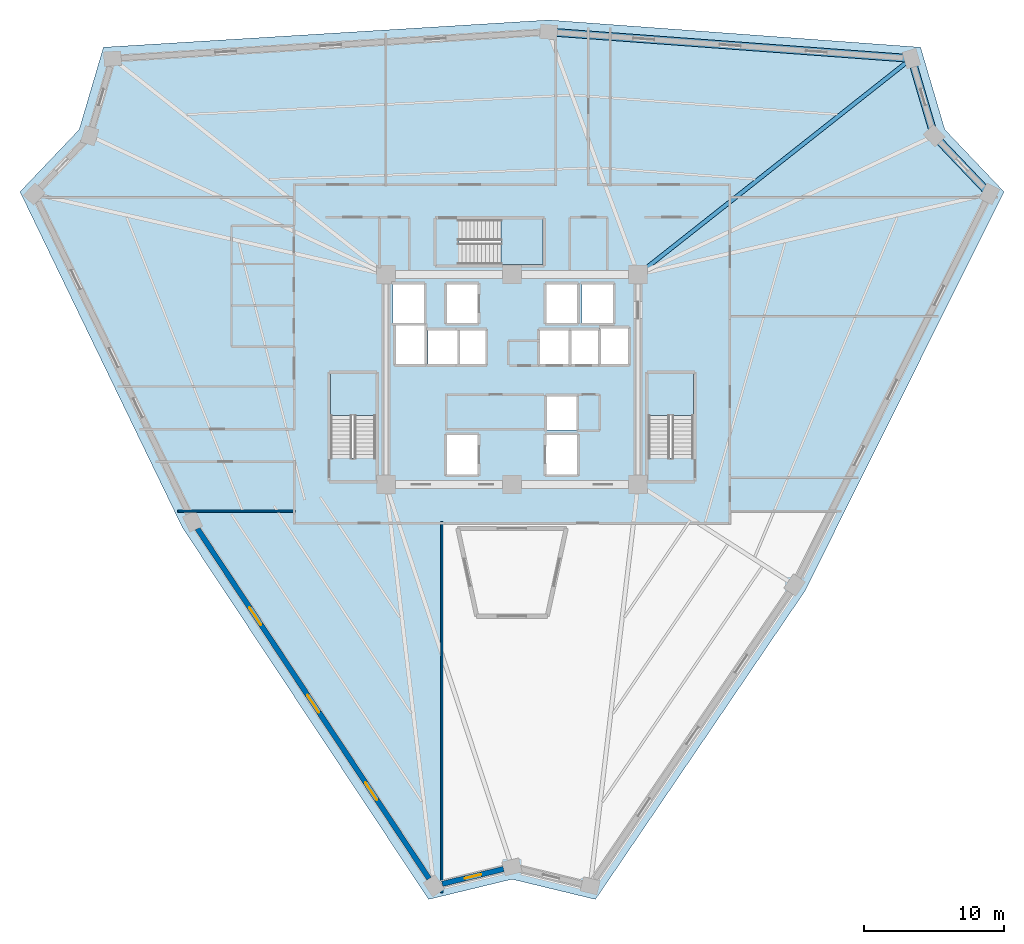
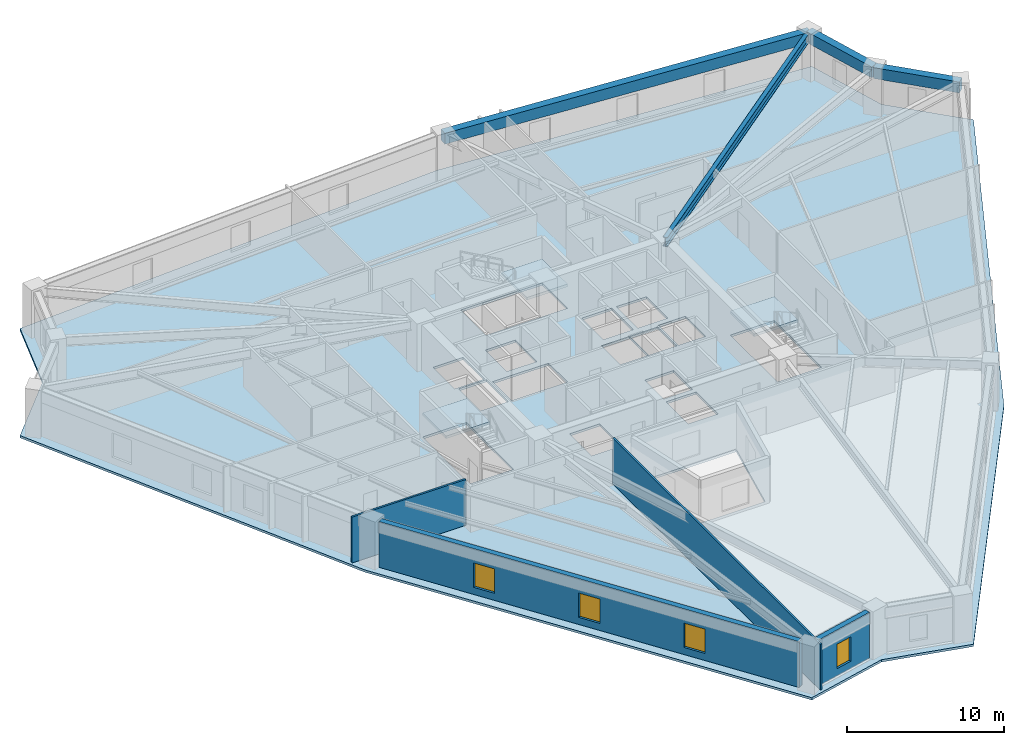
# One storey, part 2 of 10: 4 beams, 4 slabs, 4 walls, 4 windows, 4 openings, 3 elements without a shape of their own.
"""IFC4 building model written with IfcOpenShell, lengths in metres."""

from ifc_helpers import new_model, si_unit, direction, frame, frame_2d, origin, origin_2d, place, context, subcontext, project, spatial, polyline, rectangle, i_section, outline, extrude, source, transform, mapped, material, layer, layer_set, material_profile, profile_set, type_object, element, fill, aggregate, save


model = new_model("IFC4")

# Units and contexts
model_context = context("Model", 3, precision=1e-05, world=origin(), true_north=direction((0.0, 1.0)))
body_context = subcontext(model_context, "Body", "Model", "MODEL_VIEW")
ifc_project = project(units=[si_unit("LENGTHUNIT", "METRE"), si_unit("AREAUNIT", "SQUARE_METRE"), si_unit("VOLUMEUNIT", "CUBIC_METRE"), si_unit("PLANEANGLEUNIT", "RADIAN"), si_unit("MASSUNIT", "GRAM", prefix="KILO")], contexts=[model_context])

# Site, building, storey
site_placement = place(None, origin())
site = spatial("IfcSite", under=ifc_project, at=site_placement, CompositionType="ELEMENT")
building_placement = place(site_placement, origin())
building = spatial("IfcBuilding", under=site, at=building_placement, Name="Liaohun Quay Tower", CompositionType="ELEMENT")
storey_placement = place(building_placement, frame((0.0, 0.0, 194.25)))
storey = spatial("IfcBuildingStorey", under=building, at=storey_placement, Name="L50", CompositionType="ELEMENT", Elevation=194.25)

# Beams
ifc_material_1 = material(Name="Precast concrete C50", Category="concrete")
ifc_material_profile_1 = material_profile(ifc_material_1, rectangle(XDim=0.550048828125, YDim=0.85009765625, at=origin_2d()), Name="RC550x850")
ifc_profile_set_1 = profile_set([ifc_material_profile_1], Name="Precast concrete C50")
beam_type_1 = type_object("IfcBeamType", Name="BM-SPD-Z3", PredefinedType="SPANDREL", material=ifc_profile_set_1)
shared_shape_1 = source(origin(), body_context, "Body", "SweptSolid", [
    extrude(rectangle(XDim=0.550048828125, YDim=0.85009765625, at=origin_2d()), origin(), (0.0, 0.0, 1.0), 5.737060546875),
])
beam_1_placement = place(storey_placement, frame((90.14306640625, 71.403076171875, 3.14501953125), z_axis=(0.689356516879, -0.724422247474, 0.0), x_axis=(0.724422247474, 0.689356516879, 0.0)))
element("IfcBeam", 1, at=beam_1_placement, inside=storey, type_object=beam_type_1, Name="L50 Precast Spandrel Beam PC08-PC09", PredefinedType="SPANDREL", context=body_context, shape_type="MappedRepresentation", body=[
    mapped(shared_shape_1, transform((0.0, 0.0, 0.0), x_axis=(1.0, 0.0, 0.0), y_axis=(0.0, 1.0, 0.0), z_axis=(0.0, 0.0, 1.0), scale=1.0)),
])
shared_shape_2 = source(origin(), body_context, "Body", "SweptSolid", [
    extrude(rectangle(XDim=0.550048828125, YDim=0.85009765625, at=origin_2d()), origin(), (0.0, 0.0, 1.0), 25.968505859375),
])
beam_2_placement = place(storey_placement, frame((62.6201171875, 78.81201171875, 3.14501953125), z_axis=(0.997322831319, -0.073124347033, 0.0), x_axis=(0.073124347033, 0.997322831319, 0.0)))
element("IfcBeam", 2, at=beam_2_placement, inside=storey, type_object=beam_type_1, Name="L50 Precast Spandrel Beam PC06-PC07", PredefinedType="SPANDREL", context=body_context, shape_type="MappedRepresentation", body=[
    mapped(shared_shape_2, transform((0.0, 0.0, 0.0), x_axis=(1.0, 0.0, 0.0), y_axis=(0.0, 1.0, 0.0), z_axis=(0.0, 0.0, 1.0), scale=1.0)),
])
shared_shape_3 = source(origin(), body_context, "Body", "SweptSolid", [
    extrude(rectangle(XDim=0.550048828125, YDim=0.85009765625, at=origin_2d()), origin(), (0.0, 0.0, 1.0), 5.744384765625),
])
beam_3_placement = place(storey_placement, frame((88.51904296875, 76.9130859375, 3.14501953125), z_axis=(0.282716218071, -0.959203596761, 0.0), x_axis=(0.959203596761, 0.282716218071, 0.0)))
element("IfcBeam", 3, at=beam_3_placement, inside=storey, type_object=beam_type_1, Name="L50 Precast Spandrel Beam PC07-PC08", PredefinedType="SPANDREL", context=body_context, shape_type="MappedRepresentation", body=[
    mapped(shared_shape_3, transform((0.0, 0.0, 0.0), x_axis=(1.0, 0.0, 0.0), y_axis=(0.0, 1.0, 0.0), z_axis=(0.0, 0.0, 1.0), scale=1.0)),
])
ifc_material_2 = material(Name="Steel Q355D", Category="steel")
ifc_material_profile_2 = material_profile(ifc_material_2, i_section(OverallWidth=0.300048828125, OverallDepth=0.699951171875, WebThickness=0.012939453125, FlangeThickness=0.02392578125, at=origin_2d()), Name="HN700x300x13x24")
ifc_profile_set_2 = profile_set([ifc_material_profile_2], Name="Steel Q355D")
beam_type_2 = type_object("IfcBeamType", Name="BM-RAD-U1", PredefinedType="BEAM", material=ifc_profile_set_2)
shared_shape_4 = source(origin(), body_context, "Body", "SweptSolid", [
    extrude(i_section(OverallWidth=0.300048828125, OverallDepth=0.699951171875, WebThickness=0.012939453125, FlangeThickness=0.02392578125, at=origin_2d()), origin(), (0.0, 0.0, 1.0), 24.870849609375),
])
beam_4_placement = place(storey_placement, frame((69.0, 61.5, 3.219970703125), z_axis=(0.784817933062, 0.619726400877, 0.0), x_axis=(-0.619726400877, 0.784817933062, 0.0)))
element("IfcBeam", 4, at=beam_4_placement, inside=storey, type_object=beam_type_2, Name="L50 Radial Primary Girder CC4-PC07", PredefinedType="BEAM", context=body_context, shape_type="MappedRepresentation", body=[
    mapped(shared_shape_4, transform((0.0, 0.0, 0.0), x_axis=(1.0, 0.0, 0.0), y_axis=(0.0, 1.0, 0.0), z_axis=(0.0, 0.0, 1.0), scale=1.0)),
])

# Stair, slab
ifc_material_3 = material(Name="Concrete C45", Category="concrete")
stair_type = type_object("IfcStairType", Name="STR-CORE-OFF", PredefinedType="HALF_TURN_STAIR", material=ifc_material_3)
stair_1_placement = place(storey_placement, origin())
stair_1 = element("IfcStair", 5, at=stair_1_placement, inside=storey, type_object=stair_type, Name="L50 Smokeproof Core Exit Stair ST-1", PredefinedType="HALF_TURN_STAIR")
ifc_layer_1 = layer(ifc_material_3, 0.199951171875, Name="Concrete C45", Category="concrete")
ifc_layer_set_1 = layer_set([ifc_layer_1], Name="Concrete C45")
slab_type_1 = type_object("IfcSlabType", Name="SLB-LND-200", PredefinedType="LANDING", material=ifc_layer_set_1)
slab_1_placement = place(storey_placement, frame((0.0, 0.0, 1.675048828125)))
slab_1 = element("IfcSlab", 6, at=slab_1_placement, type_object=slab_type_1, Name="ST-1 landing 1", PredefinedType="LANDING", context=body_context, shape_type="SweptSolid", body=[
    extrude(outline(polyline([(50.280029296875, 51.429931640625), (50.280029296875, 54.419921875), (47.0400390625, 54.419921875), (47.0400390625, 51.429931640625), (50.280029296875, 51.429931640625)])), origin(), (0.0, 0.0, 1.0), 0.199951171875),
])
aggregate(stair_1, [slab_1])

stair_2_placement = place(storey_placement, origin())
stair_2 = element("IfcStair", 7, at=stair_2_placement, inside=storey, type_object=stair_type, Name="L50 Smokeproof Core Exit Stair ST-2", PredefinedType="HALF_TURN_STAIR")
slab_2_placement = place(storey_placement, frame((0.0, 0.0, 1.675048828125)))
slab_2 = element("IfcSlab", 8, at=slab_2_placement, type_object=slab_type_1, Name="ST-2 landing 1", PredefinedType="LANDING", context=body_context, shape_type="SweptSolid", body=[
    extrude(outline(polyline([(72.9599609375, 51.429931640625), (72.9599609375, 54.419921875), (69.719970703125, 54.419921875), (69.719970703125, 51.429931640625), (72.9599609375, 51.429931640625)])), origin(), (0.0, 0.0, 1.0), 0.199951171875),
])
aggregate(stair_2, [slab_2])

stair_3_placement = place(storey_placement, origin())
stair_3 = element("IfcStair", 9, at=stair_3_placement, inside=storey, type_object=stair_type, Name="L50 Smokeproof Core Exit Stair ST-3", PredefinedType="HALF_TURN_STAIR")
slab_3_placement = place(storey_placement, frame((0.0, 0.0, 1.675048828125)))
slab_3 = element("IfcSlab", 10, at=slab_3_placement, type_object=slab_type_1, Name="ST-3 landing 1", PredefinedType="LANDING", context=body_context, shape_type="SweptSolid", body=[
    extrude(outline(polyline([(59.22998046875, 62.199951171875), (62.219970703125, 62.199951171875), (62.219970703125, 65.43994140625), (59.22998046875, 65.43994140625), (59.22998046875, 62.199951171875)])), origin(), (0.0, 0.0, 1.0), 0.199951171875),
])
aggregate(stair_3, [slab_3])

# Slab
ifc_layer_2 = layer(ifc_material_3, 0.179931640625, Name="Concrete C45", Category="concrete")
ifc_layer_set_2 = layer_set([ifc_layer_2], Name="Concrete C45")
slab_type_2 = type_object("IfcSlabType", Name="SLB-OFF-180", PredefinedType="FLOOR", material=ifc_layer_set_2)
slab_4_placement = place(storey_placement, frame((0.0, 0.0, -0.179931640625)))
element("IfcSlab", 11, at=slab_4_placement, inside=storey, type_object=slab_type_2, Name="L50 Structural Floor Slab", PredefinedType="FLOOR", context=body_context, shape_type="SweptSolid", body=[
    extrude(outline(polyline([(54.04296875, 16.881103515625), (60.0, 18.320068359375), (65.95703125, 16.881103515625), (80.9130859375, 38.89501953125), (95.125, 67.40087890625), (90.89990234375, 71.840087890625), (89.16796875, 77.718017578125), (62.625, 79.6640625), (30.83203125, 77.718017578125), (29.10009765625, 71.840087890625), (24.875, 67.40087890625), (36.4619140625, 43.44189453125), (54.04296875, 16.881103515625)]), holes=[polyline([(62.3798828125, 37.27001953125), (63.662109375, 43.199951171875), (56.337890625, 43.199951171875), (57.6201171875, 37.27001953125), (62.3798828125, 37.27001953125)]), polyline([(57.56005859375, 47.2099609375), (57.56005859375, 50.030029296875), (55.340087890625, 50.030029296875), (55.340087890625, 47.2099609375), (57.56005859375, 47.2099609375)]), polyline([(50.280029296875, 54.419921875), (47.0400390625, 54.419921875), (47.0400390625, 48.409912109375), (50.280029296875, 48.409912109375), (50.280029296875, 54.419921875)]), polyline([(53.989990234375, 55.090087890625), (58.110107421875, 55.090087890625), (58.110107421875, 57.510009765625), (53.989990234375, 57.510009765625), (53.989990234375, 55.090087890625)]), polyline([(53.760009765625, 55.090087890625), (53.760009765625, 57.909912109375), (51.7099609375, 57.909912109375), (51.7099609375, 55.090087890625), (53.760009765625, 55.090087890625)]), polyline([(53.7099609375, 58.0400390625), (53.7099609375, 60.7900390625), (51.489990234375, 60.7900390625), (51.489990234375, 58.0400390625), (53.7099609375, 58.0400390625)]), polyline([(57.56005859375, 58.0400390625), (57.56005859375, 60.7900390625), (55.340087890625, 60.7900390625), (55.340087890625, 58.0400390625), (57.56005859375, 58.0400390625)]), polyline([(62.219970703125, 62.199951171875), (62.219970703125, 65.43994140625), (56.2099609375, 65.43994140625), (56.2099609375, 62.199951171875), (62.219970703125, 62.199951171875)]), polyline([(64.659912109375, 47.2099609375), (64.659912109375, 50.030029296875), (62.43994140625, 50.030029296875), (62.43994140625, 47.2099609375), (64.659912109375, 47.2099609375)]), polyline([(72.9599609375, 54.419921875), (69.719970703125, 54.419921875), (69.719970703125, 48.409912109375), (72.9599609375, 48.409912109375), (72.9599609375, 54.419921875)]), polyline([(64.610107421875, 50.389892578125), (64.610107421875, 52.81005859375), (62.489990234375, 52.81005859375), (62.489990234375, 50.389892578125), (64.610107421875, 50.389892578125)]), polyline([(64.06005859375, 55.090087890625), (64.06005859375, 57.510009765625), (61.989990234375, 57.510009765625), (61.989990234375, 55.090087890625), (64.06005859375, 55.090087890625)]), polyline([(66.159912109375, 55.090087890625), (66.159912109375, 57.510009765625), (64.090087890625, 57.510009765625), (64.090087890625, 55.090087890625), (66.159912109375, 55.090087890625)]), polyline([(68.2900390625, 55.090087890625), (68.2900390625, 57.659912109375), (66.2900390625, 57.659912109375), (66.2900390625, 55.090087890625), (68.2900390625, 55.090087890625)]), polyline([(62.43994140625, 58.0400390625), (64.659912109375, 58.0400390625), (64.659912109375, 60.7900390625), (62.43994140625, 60.7900390625), (62.43994140625, 58.0400390625)]), polyline([(64.989990234375, 58.0400390625), (67.2099609375, 58.0400390625), (67.2099609375, 60.7900390625), (64.989990234375, 60.7900390625), (64.989990234375, 58.0400390625)])]), origin(), (0.0, 0.0, 1.0), 0.179931640625),
])

# Wall, openings, windows
ifc_material_4 = material(Name="Precast concrete C50 insulated sandwich", Category="concrete")
ifc_layer_3 = layer(ifc_material_4, 0.3798828125, Name="Precast concrete C50 insulated sandwich", Category="concrete")
ifc_layer_set_3 = layer_set([ifc_layer_3], Name="Precast concrete C50 insulated sandwich")
wall_type_1 = type_object("IfcWallType", Name="WAL-EXT-Z34", PredefinedType="SOLIDWALL", material=ifc_layer_set_3)
wall_1_placement = place(storey_placement, frame((37.541015625, 43.35107421875, 0.0), z_axis=(0.0, 0.0, 1.0), x_axis=(0.551978948994, -0.833858045394, 0.0)))
wall_1 = element("IfcWall", 12, at=wall_1_placement, inside=storey, type_object=wall_type_1, Name="L50 Brutalist Precast Pier Wall 11", PredefinedType="SOLIDWALL", context=body_context, shape_type="SweptSolid", body=[
    extrude(rectangle(XDim=29.97021484375, YDim=0.3798828125, at=frame_2d((14.985107421875, 0.0))), origin(), (0.0, 0.0, 1.0), 3.570068359375),
])
shared_shape_5 = source(origin(), body_context, "Body", "SweptSolid", [
    extrude(rectangle(XDim=1.5, YDim=1.89990234375, at=frame_2d((0.75, 0.949951171875))), frame((0.0, 0.199951171875, 0.0), z_axis=(0.0, -1.0, 0.0), x_axis=(1.0, 0.0, 0.0)), (0.0, 0.0, 1.0), 0.39990234375),
])
opening_1_placement = place(wall_1_placement, frame((6.742919921875, 0.0, 0.550048828125)))
opening_1 = element("IfcOpeningElement", 13, at=opening_1_placement, cuts=wall_1, Name="Opening W03", PredefinedType="OPENING", context=body_context, shape_type="MappedRepresentation", body=[
    mapped(shared_shape_5, transform((0.0, 0.0, 0.0), x_axis=(1.0, 0.0, 0.0), y_axis=(0.0, 1.0, 0.0), z_axis=(0.0, 0.0, 1.0), scale=1.0)),
])
opening_2_placement = place(wall_1_placement, frame((14.235107421875, 0.0, 0.550048828125)))
opening_2 = element("IfcOpeningElement", 14, at=opening_2_placement, cuts=wall_1, Name="Opening W03", PredefinedType="OPENING", context=body_context, shape_type="MappedRepresentation", body=[
    mapped(shared_shape_5, transform((0.0, 0.0, 0.0), x_axis=(1.0, 0.0, 0.0), y_axis=(0.0, 1.0, 0.0), z_axis=(0.0, 0.0, 1.0), scale=1.0)),
])
opening_3_placement = place(wall_1_placement, frame((21.72802734375, 0.0, 0.550048828125)))
opening_3 = element("IfcOpeningElement", 15, at=opening_3_placement, cuts=wall_1, Name="Opening W03", PredefinedType="OPENING", context=body_context, shape_type="MappedRepresentation", body=[
    mapped(shared_shape_5, transform((0.0, 0.0, 0.0), x_axis=(1.0, 0.0, 0.0), y_axis=(0.0, 1.0, 0.0), z_axis=(0.0, 0.0, 1.0), scale=1.0)),
])
ifc_material_5 = material(Name="Triple Low-E argon glazing in thermally broken aluminium", Category="aluminium")
window_type_1 = type_object("IfcWindowType", Name="WIN-PUN-Z3", PartitioningType="DOUBLE_PANEL_VERTICAL", PredefinedType="WINDOW", material=ifc_material_5)
shared_shape_6 = source(origin(), body_context, "Body", "SweptSolid", [
    extrude(rectangle(XDim=1.5, YDim=1.89990234375, at=frame_2d((0.75, 0.949951171875))), frame((0.0, 0.030029296875, 0.0), z_axis=(0.0, -1.0, 0.0), x_axis=(1.0, 0.0, 0.0)), (0.0, 0.0, 1.0), 0.06005859375),
])
window_1_placement = place(opening_1_placement, origin())
window_1 = element("IfcWindow", 16, at=window_1_placement, inside=storey, type_object=window_type_1, Name="L50 Recessed Cold-Climate Punched Window 11-1", OverallHeight=1.89990234375, OverallWidth=1.5, PartitioningType="DOUBLE_PANEL_VERTICAL", PredefinedType="WINDOW", context=body_context, shape_type="MappedRepresentation", body=[
    mapped(shared_shape_6, transform((0.0, 0.0, 0.0), x_axis=(1.0, 0.0, 0.0), y_axis=(0.0, 1.0, 0.0), z_axis=(0.0, 0.0, 1.0), scale=1.0)),
])
fill(opening_1, window_1)
window_2_placement = place(opening_2_placement, origin())
window_2 = element("IfcWindow", 17, at=window_2_placement, inside=storey, type_object=window_type_1, Name="L50 Recessed Cold-Climate Punched Window 11-2", OverallHeight=1.89990234375, OverallWidth=1.5, PartitioningType="DOUBLE_PANEL_VERTICAL", PredefinedType="WINDOW", context=body_context, shape_type="MappedRepresentation", body=[
    mapped(shared_shape_6, transform((0.0, 0.0, 0.0), x_axis=(1.0, 0.0, 0.0), y_axis=(0.0, 1.0, 0.0), z_axis=(0.0, 0.0, 1.0), scale=1.0)),
])
fill(opening_2, window_2)
window_3_placement = place(opening_3_placement, origin())
window_3 = element("IfcWindow", 18, at=window_3_placement, inside=storey, type_object=window_type_1, Name="L50 Recessed Cold-Climate Punched Window 11-3", OverallHeight=1.89990234375, OverallWidth=1.5, PartitioningType="DOUBLE_PANEL_VERTICAL", PredefinedType="WINDOW", context=body_context, shape_type="MappedRepresentation", body=[
    mapped(shared_shape_6, transform((0.0, 0.0, 0.0), x_axis=(1.0, 0.0, 0.0), y_axis=(0.0, 1.0, 0.0), z_axis=(0.0, 0.0, 1.0), scale=1.0)),
])
fill(opening_3, window_3)

# Wall, opening, window
wall_2_placement = place(storey_placement, frame((55.02099609375, 17.990966796875, 0.0), z_axis=(0.0, 0.0, 1.0), x_axis=(0.972002486445, 0.234970564848, 0.0)))
wall_2 = element("IfcWall", 19, at=wall_2_placement, inside=storey, type_object=wall_type_1, Name="L50 Brutalist Precast Pier Wall 12", PredefinedType="SOLIDWALL", context=body_context, shape_type="SweptSolid", body=[
    extrude(rectangle(XDim=4.50732421875, YDim=0.3798828125, at=frame_2d((2.253662109375, 0.0))), origin(), (0.0, 0.0, 1.0), 3.570068359375),
])
shared_shape_7 = source(origin(), body_context, "Body", "SweptSolid", [
    extrude(rectangle(XDim=1.199951171875, YDim=1.89990234375, at=frame_2d((0.60009765625, 0.949951171875))), frame((0.0, 0.199951171875, 0.0), z_axis=(0.0, -1.0, 0.0), x_axis=(1.0, 0.0, 0.0)), (0.0, 0.0, 1.0), 0.39990234375),
])
opening_4_placement = place(wall_2_placement, frame((1.654052734375, 0.0, 0.550048828125)))
opening_4 = element("IfcOpeningElement", 20, at=opening_4_placement, cuts=wall_2, Name="Opening W05", PredefinedType="OPENING", context=body_context, shape_type="MappedRepresentation", body=[
    mapped(shared_shape_7, transform((0.0, 0.0, 0.0), x_axis=(1.0, 0.0, 0.0), y_axis=(0.0, 1.0, 0.0), z_axis=(0.0, 0.0, 1.0), scale=1.0)),
])
ifc_material_6 = material(Name="Triple Low-E corner notch glazing", Category="glass")
window_type_2 = type_object("IfcWindowType", Name="WIN-NOTCH", PartitioningType="SINGLE_PANEL", PredefinedType="WINDOW", material=ifc_material_6)
shared_shape_8 = source(origin(), body_context, "Body", "SweptSolid", [
    extrude(rectangle(XDim=1.199951171875, YDim=1.89990234375, at=frame_2d((0.60009765625, 0.949951171875))), frame((0.0, 0.030029296875, 0.0), z_axis=(0.0, -1.0, 0.0), x_axis=(1.0, 0.0, 0.0)), (0.0, 0.0, 1.0), 0.06005859375),
])
window_4_placement = place(opening_4_placement, origin())
window_4 = element("IfcWindow", 21, at=window_4_placement, inside=storey, type_object=window_type_2, Name="L50 Corner Notch Window W05-12", OverallHeight=1.89990234375, OverallWidth=1.199951171875, PartitioningType="SINGLE_PANEL", PredefinedType="WINDOW", context=body_context, shape_type="MappedRepresentation", body=[
    mapped(shared_shape_8, transform((0.0, 0.0, 0.0), x_axis=(1.0, 0.0, 0.0), y_axis=(0.0, 1.0, 0.0), z_axis=(0.0, 0.0, 1.0), scale=1.0)),
])
fill(opening_4, window_4)

# Walls
ifc_material_7 = material(Name="Gypsum board on twin steel studs", Category="steel")
ifc_layer_4 = layer(ifc_material_7, 0.139892578125, Name="Gypsum board on twin steel studs", Category="steel")
ifc_layer_set_4 = layer_set([ifc_layer_4], Name="Gypsum board on twin steel studs")
wall_type_2 = type_object("IfcWallType", Name="WAL-PRT-OFF", PredefinedType="PARTITIONING", material=ifc_layer_set_4)
wall_3_placement = place(storey_placement, frame((44.5400390625, 44.60009765625, 0.0), z_axis=(0.0, 0.0, 1.0), x_axis=(-1.0, 0.0, 0.0)))
element("IfcWall", 22, at=wall_3_placement, inside=storey, type_object=wall_type_2, Name="L50 Interior Partition Wall 045", PredefinedType="PARTITIONING", context=body_context, shape_type="SweptSolid", body=[
    extrude(rectangle(XDim=8.39404296875, YDim=0.139892578125, at=frame_2d((4.197021484375, 0.0))), origin(), (0.0, 0.0, 1.0), 3.570068359375),
])
wall_4_placement = place(storey_placement, frame((55.0, 43.840087890625, 0.0), z_axis=(0.0, 0.0, 1.0), x_axis=(0.0, -1.0, 0.0)))
element("IfcWall", 23, at=wall_4_placement, inside=storey, type_object=wall_type_2, Name="L50 Interior Partition Wall 054", PredefinedType="PARTITIONING", context=body_context, shape_type="SweptSolid", body=[
    extrude(rectangle(XDim=26.5009765625, YDim=0.139892578125, at=frame_2d((13.25048828125, 0.0))), origin(), (0.0, 0.0, 1.0), 3.570068359375),
])

save(model, "model.ifc")
